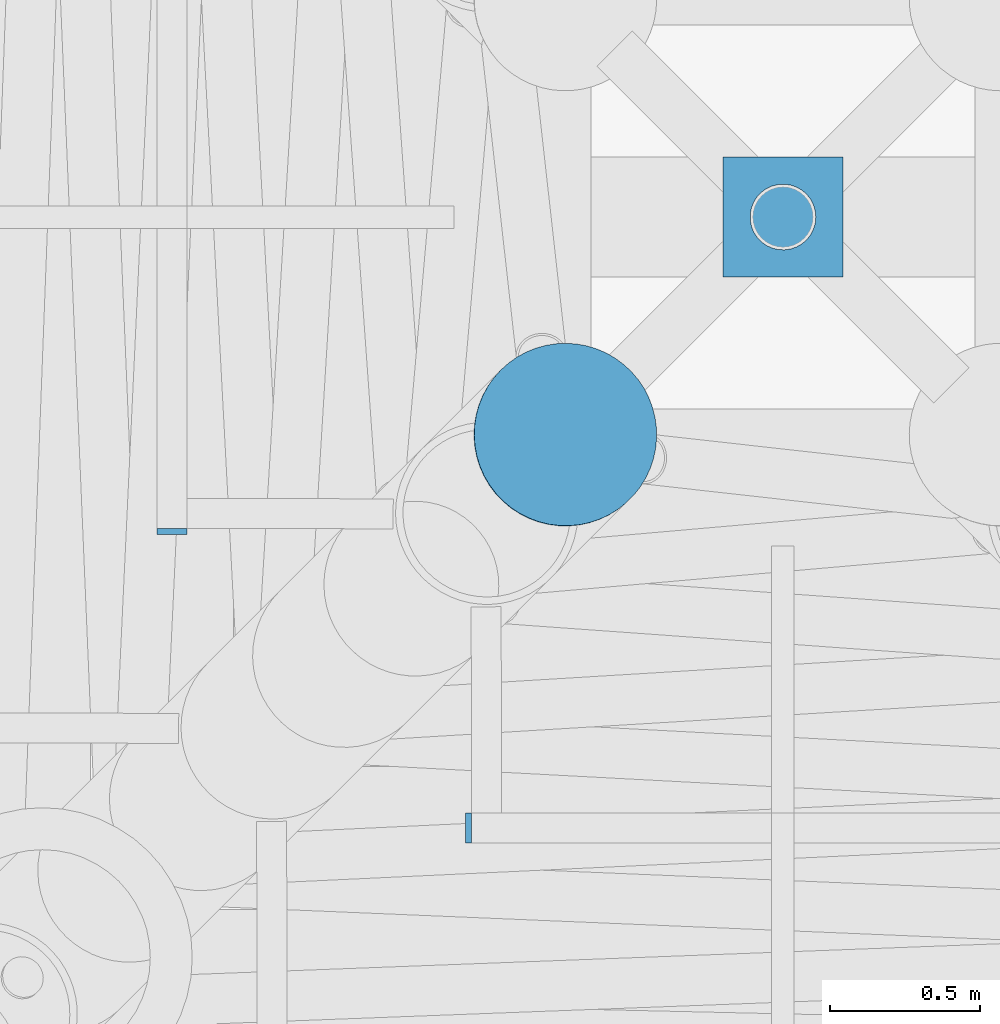
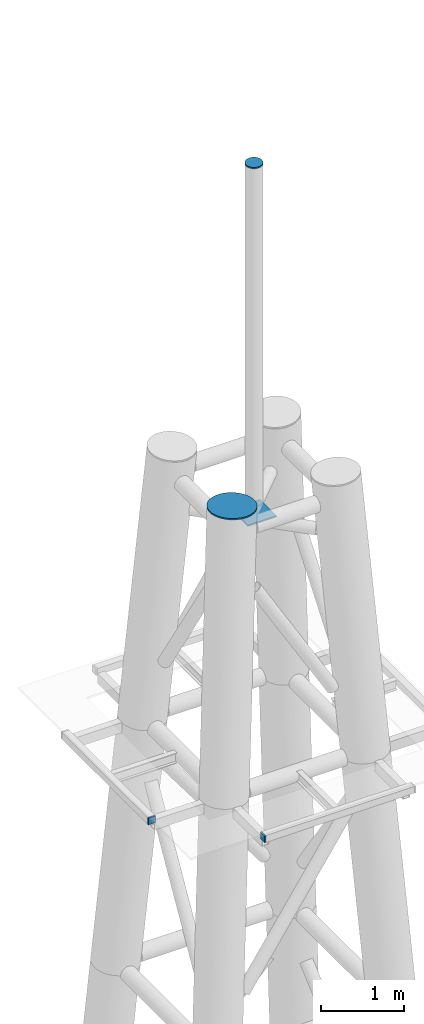
# One storey, part 17 of 36: 5 discrete accessories.
"""IFC4 building model written with IfcOpenShell, lengths in metres."""

from ifc_helpers import new_model, si_unit, direction, frame, origin, origin_2d, place, context, subcontext, project, spatial, rectangle, circle, extrude, material, material_profile, profile_set, type_object, element, save


model = new_model("IFC4")

# Units and contexts
model_context = context("Model", 3, precision=1e-05, world=origin(), true_north=direction((0.0, 1.0)))
body_context = subcontext(model_context, "Body", "Model", "MODEL_VIEW")
ifc_project = project(units=[si_unit("LENGTHUNIT", "METRE"), si_unit("AREAUNIT", "SQUARE_METRE"), si_unit("VOLUMEUNIT", "CUBIC_METRE"), si_unit("PLANEANGLEUNIT", "RADIAN"), si_unit("MASSUNIT", "GRAM", prefix="KILO")], contexts=[model_context])

# Site, building, storey
site_placement = place(None, origin())
site = spatial("IfcSite", under=ifc_project, at=site_placement, CompositionType="ELEMENT")
building_placement = place(site_placement, origin())
building = spatial("IfcBuilding", under=site, at=building_placement, Name="Ipe Terrace Towers", CompositionType="ELEMENT")
storey_placement = place(building_placement, frame((0.0, 0.0, 264.89990234375)))
storey = spatial("IfcBuildingStorey", under=building, at=storey_placement, Name="Roof", CompositionType="ELEMENT", Elevation=264.89990234375)

# Discrete accessories
ifc_material_1 = material(Name="Steel S355", Category="steel")
discrete_accessory_type_1 = type_object("IfcDiscreteAccessoryType", Name="MAST BRACE NODE PLATE 400 x 20", PredefinedType="BRACKET", material=ifc_material_1)
discrete_accessory_1_placement = place(storey_placement, frame((-36.0, 0.0, 35.55615234375), z_axis=(0.0, 0.0, 1.0), x_axis=(1.0, 0.0, 0.0)))
element("IfcDiscreteAccessory", 1, at=discrete_accessory_1_placement, inside=storey, type_object=discrete_accessory_type_1, Name="mast brace node plate", PredefinedType="BRACKET", context=body_context, shape_type="SweptSolid", body=[
    extrude(rectangle(XDim=0.39990234375, YDim=0.39990234375, at=origin_2d()), origin(), (0.0, 0.0, 1.0), 0.02001953125),
])
ifc_material_2 = material(Name="Steel S355", Category="steel")
ifc_material_profile_1 = material_profile(ifc_material_2, rectangle(XDim=0.10009765625, YDim=0.10009765625, at=origin_2d()), Name="MAST END PLATE 100 x 100 x 20")
ifc_profile_set_1 = profile_set([ifc_material_profile_1], Name="Steel S355")
discrete_accessory_type_2 = type_object("IfcDiscreteAccessoryType", Name="MAST END PLATE 100 x 100 x 20", PredefinedType="BRACKET", material=ifc_profile_set_1)
for number, where, z_axis, x_axis, name in (
    (2, (-37.0390625, -2.0390625, 32.3720703125), (-1.0, 0.0, 0.0), (0.0, -1.0, 0.0), "mast end plate"),
    (3, (-38.0390625, -1.0390625, 32.3720703125), (0.0, -1.0, 0.0), (1.0, 0.0, 0.0), "mast end plate"),
):
    element("IfcDiscreteAccessory", number, at=place(storey_placement, frame(where, z_axis=z_axis, x_axis=x_axis)), inside=storey, type_object=discrete_accessory_type_2, Name=name, PredefinedType="BRACKET", context=body_context, shape_type="SweptSolid", body=[
        extrude(rectangle(XDim=0.10009765625, YDim=0.10009765625, at=origin_2d()), origin(), (0.0, 0.0, 1.0), 0.02001953125),
    ])
ifc_material_3 = material(Name="Steel S355", Category="steel")
ifc_material_profile_2 = material_profile(ifc_material_3, circle(Radius=0.109619140625, at=origin_2d()), Name="MAST END PLATE 219 DIA x 20")
ifc_profile_set_2 = profile_set([ifc_material_profile_2], Name="Steel S355")
discrete_accessory_type_3 = type_object("IfcDiscreteAccessoryType", Name="MAST END PLATE 219 DIA x 20", PredefinedType="BRACKET", material=ifc_profile_set_2)
discrete_accessory_2_placement = place(storey_placement, frame((-36.0, 0.0, 40.734130859375), z_axis=(0.0, 0.0, 1.0), x_axis=(1.0, 0.0, 0.0)))
element("IfcDiscreteAccessory", 4, at=discrete_accessory_2_placement, inside=storey, type_object=discrete_accessory_type_3, Name="mast end plate", PredefinedType="BRACKET", context=body_context, shape_type="SweptSolid", body=[
    extrude(circle(Radius=0.109619140625, at=origin_2d()), origin(), (0.0, 0.0, 1.0), 0.02001953125),
])
ifc_material_4 = material(Name="Steel S355", Category="steel")
ifc_material_profile_3 = material_profile(ifc_material_4, circle(Radius=0.304931640625, at=origin_2d()), Name="MAST END PLATE 610 DIA x 20")
ifc_profile_set_3 = profile_set([ifc_material_profile_3], Name="Steel S355")
discrete_accessory_type_4 = type_object("IfcDiscreteAccessoryType", Name="MAST END PLATE 610 DIA x 20", PredefinedType="BRACKET", material=ifc_profile_set_3)
discrete_accessory_3_placement = place(storey_placement, frame((-36.72705078125, -0.72705078125, 36.35009765625), z_axis=(0.048664825549, 0.048664825549, 0.997628923753), x_axis=(-0.707106781187, 0.707106781187, 0.0)))
element("IfcDiscreteAccessory", 5, at=discrete_accessory_3_placement, inside=storey, type_object=discrete_accessory_type_4, Name="mast end plate", PredefinedType="BRACKET", context=body_context, shape_type="SweptSolid", body=[
    extrude(circle(Radius=0.304931640625, at=origin_2d()), origin(), (0.0, 0.0, 1.0), 0.02001953125),
])

save(model, "model.ifc")
